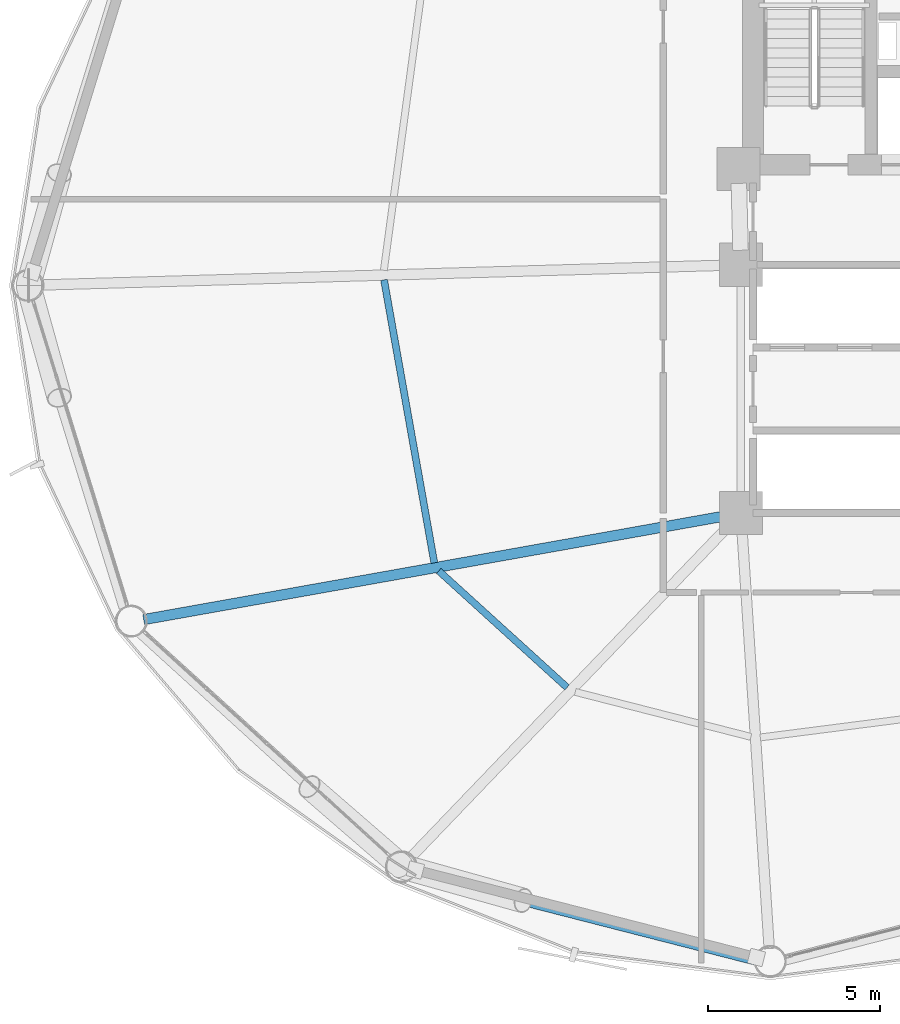
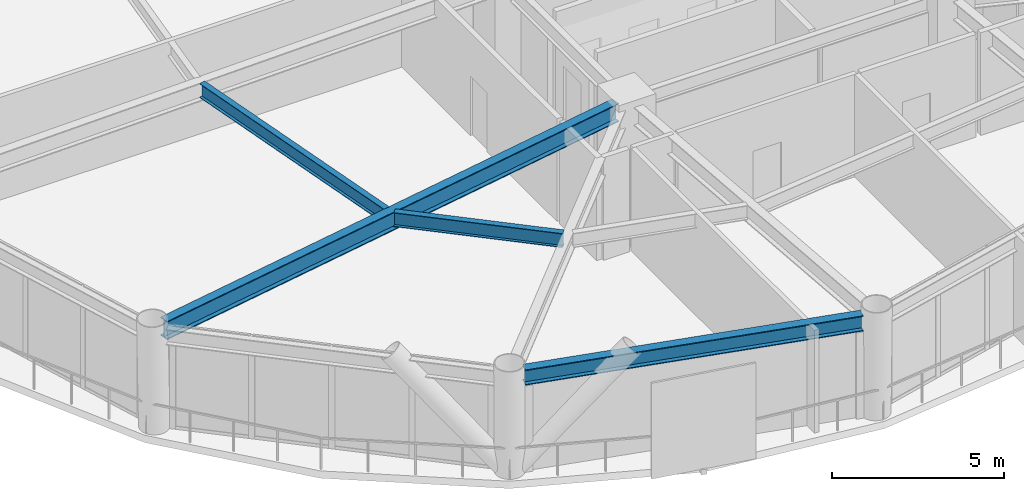
# One storey, part 5 of 25: 4 beams.
"""IFC4 building model written with IfcOpenShell, lengths in metres."""

from ifc_helpers import new_model, si_unit, direction, frame, origin, origin_2d, place, context, subcontext, project, spatial, i_section, extrude, material, material_profile, profile_set, type_object, element, save


model = new_model("IFC4")

# Units and contexts
model_context = context("Model", 3, precision=1e-05, world=origin(), true_north=direction((0.0, 1.0)))
body_context = subcontext(model_context, "Body", "Model", "MODEL_VIEW")
ifc_project = project(units=[si_unit("LENGTHUNIT", "METRE"), si_unit("AREAUNIT", "SQUARE_METRE"), si_unit("VOLUMEUNIT", "CUBIC_METRE"), si_unit("PLANEANGLEUNIT", "RADIAN"), si_unit("MASSUNIT", "GRAM", prefix="KILO")], contexts=[model_context])

# Site, building, storey
site_placement = place(None, origin())
site = spatial("IfcSite", under=ifc_project, at=site_placement, CompositionType="ELEMENT")
building_placement = place(site_placement, origin())
building = spatial("IfcBuilding", under=site, at=building_placement, Name="Varnakorn Sky Granary", CompositionType="ELEMENT")
storey_placement = place(building_placement, frame((0.0, 0.0, 62.699951171875)))
storey = spatial("IfcBuildingStorey", under=building, at=storey_placement, Name="L15", CompositionType="ELEMENT", Elevation=62.699951171875)

# Beams
ifc_material = material(Name="Steel S355JR", Category="steel")
ifc_material_profile_1 = material_profile(ifc_material, i_section(OverallWidth=0.300048828125, OverallDepth=0.64990234375, WebThickness=0.01611328125, FlangeThickness=0.031005859375, at=origin_2d()), Name="HE 650 B")
ifc_profile_set_1 = profile_set([ifc_material_profile_1], Name="Steel S355JR")
beam_type_1 = type_object("IfcBeamType", Name="BM-RAD-Z1", PredefinedType="BEAM", material=ifc_profile_set_1)
beam_1_placement = place(storey_placement, frame((-2.763427734375, -6.673583984375, 3.31494140625), z_axis=(-0.984481679411, -0.17548738674, 0.0), x_axis=(0.17548738674, -0.984481679411, 0.0)))
element("IfcBeam", 1, at=beam_1_placement, inside=storey, type_object=beam_type_1, Name="Radial Floor Girder RG08 L15", PredefinedType="BEAM", context=body_context, shape_type="SweptSolid", body=[
    extrude(i_section(OverallWidth=0.300048828125, OverallDepth=0.64990234375, WebThickness=0.01611328125, FlangeThickness=0.031005859375, at=origin_2d()), origin(), (0.0, 0.0, 1.0), 17.164794921875),
])
ifc_material_profile_2 = material_profile(ifc_material, i_section(OverallWidth=0.199951171875, OverallDepth=0.5, WebThickness=0.01025390625, FlangeThickness=0.01611328125, at=origin_2d()), Name="IPE 500")
ifc_profile_set_2 = profile_set([ifc_material_profile_2], Name="Steel S355JR")
beam_type_2 = type_object("IfcBeamType", Name="BM-SEC-Z1", PredefinedType="BEAM", material=ifc_profile_set_2)
beam_2_placement = place(storey_placement, frame((-12.694091796875, 0.16259765625, 3.39013671875), z_axis=(0.174823165315, -0.984599848095, 0.0), x_axis=(0.984599848095, 0.174823165315, 0.0)))
element("IfcBeam", 2, at=beam_2_placement, inside=storey, type_object=beam_type_2, Name="Secondary Floor Chord Beam MSB07 L15", PredefinedType="BEAM", context=body_context, shape_type="SweptSolid", body=[
    extrude(i_section(OverallWidth=0.199951171875, OverallDepth=0.5, WebThickness=0.01025390625, FlangeThickness=0.01611328125, at=origin_2d()), origin(), (0.0, 0.0, 1.0), 8.3330078125),
])
beam_3_placement = place(storey_placement, frame((-11.109130859375, -8.27392578125, 3.39013671875), z_axis=(0.740155455334, -0.672435797633, 0.0), x_axis=(0.672435797633, 0.740155455334, 0.0)))
element("IfcBeam", 3, at=beam_3_placement, inside=storey, type_object=beam_type_2, Name="Secondary Floor Chord Beam MSB08 L15", PredefinedType="BEAM", context=body_context, shape_type="SweptSolid", body=[
    extrude(i_section(OverallWidth=0.199951171875, OverallDepth=0.5, WebThickness=0.01025390625, FlangeThickness=0.01611328125, at=origin_2d()), origin(), (0.0, 0.0, 1.0), 5.025634765625),
])
ifc_material_profile_3 = material_profile(ifc_material, i_section(OverallWidth=0.300048828125, OverallDepth=0.550048828125, WebThickness=0.014892578125, FlangeThickness=0.029052734375, at=origin_2d()), Name="HE 550 B")
ifc_profile_set_3 = profile_set([ifc_material_profile_3], Name="Steel S355JR")
beam_type_3 = type_object("IfcBeamType", Name="BM-SPD-Z1", PredefinedType="SPANDREL", material=ifc_profile_set_3)
beam_4_placement = place(storey_placement, frame((-11.808837890625, -17.0205078125, 3.364990234375), z_axis=(0.968705197596, -0.248214101432, 0.0), x_axis=(0.248214101432, 0.968705197596, 0.0)))
element("IfcBeam", 4, at=beam_4_placement, inside=storey, type_object=beam_type_3, Name="Perimeter Spandrel Ring Beam RB09 L15", PredefinedType="SPANDREL", context=body_context, shape_type="SweptSolid", body=[
    extrude(i_section(OverallWidth=0.300048828125, OverallDepth=0.550048828125, WebThickness=0.014892578125, FlangeThickness=0.029052734375, at=origin_2d()), origin(), (0.0, 0.0, 1.0), 10.19970703125),
])

save(model, "model.ifc")
